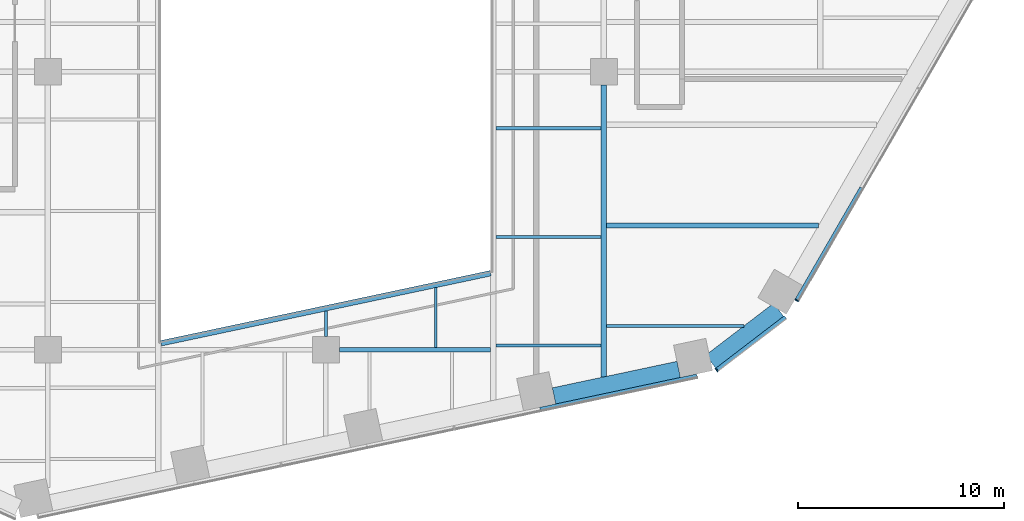
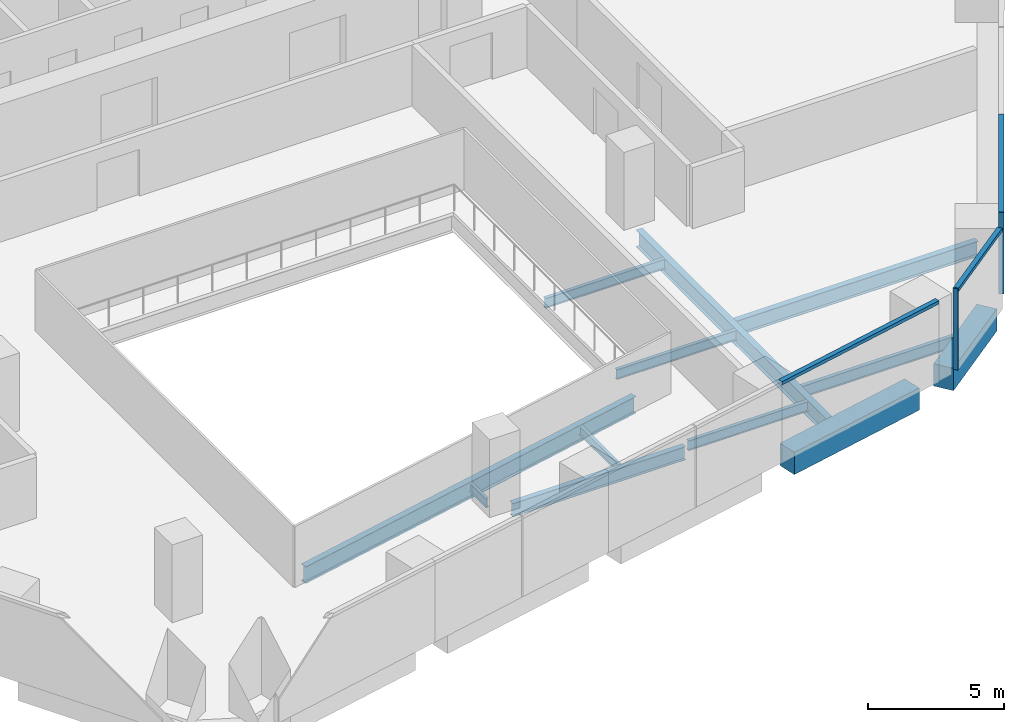
# One storey, part 5 of 19: 12 beams, 5 members, 3 elements without a shape of their own.
"""IFC4 building model written with IfcOpenShell, lengths in metres."""

import ifcopenshell
import ifcopenshell.guid

model = None  # the IFC model being written
_history = None  # IfcOwnerHistory: only IFC2X3 demands one
_inside = {}  # id of a spatial element -> (the spatial element, [elements in it])
_under = {}  # id of a project, library or spatial element -> (it, [spatial elements below it])
_declared = {}  # id of a project -> (the project, [libraries it declares])
_typed = {}  # id of a type object -> (the type object, [elements of that type])
_made_of = {}  # id of a material, layer set ... -> (it, [elements and type objects made of it])


def new_model(schema):
    """Start an empty IFC model of exactly this schema.

    Asked for "IFC4X3", IfcOpenShell would pick the latest addendum, in which some entities
    have other attributes; the version numbers below select the first issue.
    IFC2X3 requires an IfcOwnerHistory on every rooted entity: one is made here for all.
    """
    global model, _history
    if schema == "IFC4X3":
        model = ifcopenshell.file(schema_version=(4, 3, 0, 0))
    else:
        model = ifcopenshell.file(schema=schema)
    _inside.clear()
    _under.clear()
    _declared.clear()
    _typed.clear()
    _made_of.clear()
    _history = None
    if model.schema == "IFC2X3":
        org = make("IfcOrganization", Name="unknown")
        user = make(
            "IfcPersonAndOrganization",
            ThePerson=make("IfcPerson", FamilyName="unknown"),
            TheOrganization=org,
        )
        app = make(
            "IfcApplication",
            ApplicationDeveloper=org,
            Version="unknown",
            ApplicationFullName="unknown",
            ApplicationIdentifier="unknown",
        )
        _history = make(
            "IfcOwnerHistory",
            OwningUser=user,
            OwningApplication=app,
            ChangeAction="ADDED",
            CreationDate=0,
        )
    return model


def make(cls, **values):
    """One entity of the class cls with the attributes given. An attribute that is None is left unset."""
    return model.create_entity(
        cls, **{name: value for name, value in values.items() if value is not None}
    )


def rooted(cls, **values):
    """An entity with a GlobalId (a new one), such as an element, a storey or a relation."""
    return make(cls, GlobalId=ifcopenshell.guid.new(), OwnerHistory=_history, **values)


def si_unit(unit_type, name, prefix=None):
    """IfcSIUnit, for example si_unit("LENGTHUNIT", "METRE", prefix="MILLI")."""
    return make("IfcSIUnit", UnitType=unit_type, Prefix=prefix, Name=name)


def assignment(units):
    """IfcUnitAssignment: the units of a project."""
    return None if units is None else make("IfcUnitAssignment", Units=units)


def point(xyz):
    """IfcCartesianPoint."""
    return None if xyz is None else make("IfcCartesianPoint", Coordinates=xyz)


def direction(xyz):
    """IfcDirection."""
    return None if xyz is None else make("IfcDirection", DirectionRatios=xyz)


def frame(location, z_axis=None, x_axis=None):
    """IfcAxis2Placement3D, a coordinate frame: its origin and axes. An axis left out is left unset."""
    return make(
        "IfcAxis2Placement3D",
        Location=point(location),
        Axis=direction(z_axis),
        RefDirection=direction(x_axis),
    )


def frame_2d(location, x_axis=None):
    """IfcAxis2Placement2D, a coordinate frame in the plane: its origin and x axis."""
    return make(
        "IfcAxis2Placement2D", Location=point(location), RefDirection=direction(x_axis)
    )


def origin():
    """The frame at (0, 0, 0) with its axes left unset."""
    return frame((0.0, 0.0, 0.0))


def origin_2d():
    """The frame at (0, 0) in the plane with its x axis left unset."""
    return frame_2d((0.0, 0.0))


def place(relative_to, where):
    """IfcLocalPlacement: puts the frame where relative to a parent placement (None: the world)."""
    return make(
        "IfcLocalPlacement", PlacementRelTo=relative_to, RelativePlacement=where
    )


def context(
    kind, dimensions, precision=None, world=None, true_north=None, identifier=None
):
    """IfcGeometricRepresentationContext, for example the 3D "Model" context."""
    return make(
        "IfcGeometricRepresentationContext",
        ContextIdentifier=identifier,
        ContextType=kind,
        CoordinateSpaceDimension=dimensions,
        Precision=precision,
        WorldCoordinateSystem=world,
        TrueNorth=true_north,
    )


def subcontext(parent, identifier, kind, view, scale=None):
    """IfcGeometricRepresentationSubContext, for example "Body" below "Model"."""
    return make(
        "IfcGeometricRepresentationSubContext",
        ContextIdentifier=identifier,
        ContextType=kind,
        ParentContext=parent,
        TargetScale=scale,
        TargetView=view,
    )


def project(units=None, contexts=None):
    """IfcProject with its units and contexts."""
    return rooted(
        "IfcProject",
        Name="project",
        RepresentationContexts=contexts,
        UnitsInContext=assignment(units),
    )


def spatial(cls, under=None, at=None, **own):
    """A site, building, storey or space (cls), placed at a placement, below another one or the project."""
    s = rooted(cls, ObjectPlacement=at, **own)
    if under is not None:
        _under.setdefault(under.id(), (under, []))[1].append(s)
    return s


def profile(cls, at=None, kind="AREA", **sizes):
    """A parametric profile (cls). Its sizes go by their IFC names, for example OverallWidth=200.0."""
    return make(cls, ProfileType=kind, Position=at, **sizes)


def rectangle(**sizes):
    """IfcRectangleProfileDef."""
    return profile("IfcRectangleProfileDef", **sizes)


def i_section(**sizes):
    """IfcIShapeProfileDef."""
    return profile("IfcIShapeProfileDef", **sizes)


def extrude(swept, where, along, depth):
    """IfcExtrudedAreaSolid: the profile swept, set in the frame where, extruded along a direction by depth."""
    return make(
        "IfcExtrudedAreaSolid",
        SweptArea=swept,
        Position=where,
        ExtrudedDirection=direction(along),
        Depth=depth,
    )


def shape(context_of_items, identifier, shape_type, items):
    """IfcShapeRepresentation: the items that make up one representation, for example the "Body"."""
    return make(
        "IfcShapeRepresentation",
        ContextOfItems=context_of_items,
        RepresentationIdentifier=identifier,
        RepresentationType=shape_type,
        Items=items,
    )


def material(Name=None, Category=None):
    """IfcMaterial."""
    return make("IfcMaterial", Name=Name, Category=Category)


def layer(
    of_material, thickness, ventilated=None, Name=None, Category=None, Priority=None
):
    """IfcMaterialLayer: one layer of a wall or slab, of a material (None: an air gap)."""
    return make(
        "IfcMaterialLayer",
        Material=of_material,
        LayerThickness=thickness,
        IsVentilated=ventilated,
        Name=Name,
        Category=Category,
        Priority=Priority,
    )


def layer_set(layers, Name=None):
    """IfcMaterialLayerSet."""
    return make("IfcMaterialLayerSet", MaterialLayers=layers, LayerSetName=Name)


def material_profile(
    of_material, cross_section, Name=None, Category=None, Priority=None
):
    """IfcMaterialProfile: a cross section and its material."""
    return make(
        "IfcMaterialProfile",
        Name=Name,
        Material=of_material,
        Profile=cross_section,
        Priority=Priority,
        Category=Category,
    )


def profile_set(profiles, Name=None, composite=None):
    """IfcMaterialProfileSet."""
    return make(
        "IfcMaterialProfileSet",
        Name=Name,
        MaterialProfiles=profiles,
        CompositeProfile=composite,
    )


def made_of(thing, what):
    """Note that an element or type object is made of a material, layer set ...; save() writes the relation."""
    if what is not None:
        _made_of.setdefault(what.id(), (what, []))[1].append(thing)
    return thing


def type_object(cls, material=None, **own):
    """A type object (cls), such as IfcWallType, which elements share."""
    return made_of(rooted(cls, **own), material)


def element(
    cls,
    number,
    at=None,
    inside=None,
    cuts=None,
    type_object=None,
    material=None,
    context=None,
    identifier="Body",
    shape_type=None,
    held_by="IfcProductDefinitionShape",
    body=None,
    shapes=None,
    **own,
):
    """One element of the class cls, such as IfcWall. Its Tag is "e" and its number.

    at: its placement. inside: the storey or other place that contains it. cuts: it is an
    opening in that element (IfcRelVoidsElement). A single representation is given by context,
    identifier, shape_type and body (its items); several are given by shapes. held_by: the class
    of the entity that holds the representations. save() writes the other relations.
    """
    e = rooted(cls, Tag="e%d" % number, ObjectPlacement=at, **own)
    if body is not None:
        shapes = [shape(context, identifier, shape_type, body)]
    if shapes is not None:
        e.Representation = make(held_by, Representations=shapes)
    if inside is not None:
        _inside.setdefault(inside.id(), (inside, []))[1].append(e)
    if cuts is not None:
        rooted(
            "IfcRelVoidsElement", RelatingBuildingElement=cuts, RelatedOpeningElement=e
        )
    if type_object is not None:
        _typed.setdefault(type_object.id(), (type_object, []))[1].append(e)
    return made_of(e, material)


def aggregate(whole, parts):
    """IfcRelAggregates: a whole, such as a stair, and the parts it consists of."""
    return rooted("IfcRelAggregates", RelatingObject=whole, RelatedObjects=parts)


def save(model, path):
    """Write the relations noted so far, then the file.

    IfcRelAggregates (storeys below a building ...), IfcRelContainedInSpatialStructure (elements
    in a storey), IfcRelDefinesByType, IfcRelAssociatesMaterial and IfcRelDeclares: one each for
    every whole, place, type object, material and project.
    """
    for whole, parts in _under.values():
        aggregate(whole, parts)
    for where, things in _inside.values():
        rooted(
            "IfcRelContainedInSpatialStructure",
            RelatedElements=things,
            RelatingStructure=where,
        )
    for kind, things in _typed.values():
        rooted("IfcRelDefinesByType", RelatedObjects=things, RelatingType=kind)
    for what, things in _made_of.values():
        rooted("IfcRelAssociatesMaterial", RelatedObjects=things, RelatingMaterial=what)
    for by, libraries in _declared.values():
        rooted("IfcRelDeclares", RelatingContext=by, RelatedDefinitions=libraries)
    model.write(path)


model = new_model("IFC4")

# Units and contexts
model_context = context("Model", 3, precision=1e-05, world=origin(), true_north=direction((0.0, 1.0)))
body_context = subcontext(model_context, "Body", "Model", "MODEL_VIEW")
ifc_project = project(units=[si_unit("LENGTHUNIT", "METRE"), si_unit("AREAUNIT", "SQUARE_METRE"), si_unit("VOLUMEUNIT", "CUBIC_METRE"), si_unit("PLANEANGLEUNIT", "RADIAN"), si_unit("MASSUNIT", "GRAM", prefix="KILO")], contexts=[model_context])

# Site, building, storey
site_placement = place(None, origin())
site = spatial("IfcSite", under=ifc_project, at=site_placement, CompositionType="ELEMENT")
building_placement = place(site_placement, origin())
building = spatial("IfcBuilding", under=site, at=building_placement, Name="Isthmus Gate Tower", CompositionType="ELEMENT")
storey_placement = place(building_placement, frame((0.0, 0.0, 87.949951171875)))
storey = spatial("IfcBuildingStorey", under=building, at=storey_placement, Name="L20", CompositionType="ELEMENT", Elevation=87.949951171875)

# Curtain wall, member
ifc_material_1 = material(Name="Aluminium, pale champagne anodised", Category="aluminium")
ifc_layer = layer(ifc_material_1, 0.199951171875)
ifc_layer_set = layer_set([ifc_layer], Name="CW-1 UNITISED CURTAIN WALL 200 DEEP")
curtain_wall_type = type_object("IfcCurtainWallType", Name="CW-1 UNITISED CURTAIN WALL 200 DEEP", PredefinedType="NOTDEFINED", material=ifc_layer_set)
curtain_wall_1_placement = place(storey_placement, origin())
curtain_wall_1 = element("IfcCurtainWall", 1, at=curtain_wall_1_placement, inside=storey, type_object=curtain_wall_type, Name="CW-1 S-SE L20", PredefinedType="NOTDEFINED")
ifc_material_2 = material(Name="Aluminium, pale champagne anodised", Category="aluminium")
ifc_material_profile_1 = material_profile(ifc_material_2, rectangle(XDim=0.06005859375, YDim=0.199951171875, at=origin_2d()), Name="60x200")
ifc_profile_set_1 = profile_set([ifc_material_profile_1], Name="Aluminium, pale champagne anodised")
member_type_1 = type_object("IfcMemberType", Name="CW-1 MULLION 60 X 200", PredefinedType="MULLION", material=ifc_profile_set_1)
member_1_placement = place(storey_placement, frame((18.978759765625, -27.982421875, 0.0), z_axis=(0.0, 0.0, 1.0), x_axis=(0.794188594387, 0.607671355706, 0.0)))
member_1 = element("IfcMember", 2, at=member_1_placement, type_object=member_type_1, Name="CW-1 mullion", PredefinedType="MULLION", context=body_context, shape_type="SweptSolid", body=[
    extrude(rectangle(XDim=0.06005859375, YDim=0.199951171875, at=origin_2d()), origin(), (0.0, 0.0, 1.0), 3.650146484375),
])

curtain_wall_2_placement = place(storey_placement, origin())
curtain_wall_2 = element("IfcCurtainWall", 3, at=curtain_wall_2_placement, inside=storey, type_object=curtain_wall_type, Name="CW-1 SE L20", PredefinedType="NOTDEFINED")
member_2_placement = place(storey_placement, frame((22.863525390625, -24.599365234375, 0.0), z_axis=(0.0, 0.0, 1.0), x_axis=(0.5, 0.866025403784, 0.0)))
member_2 = element("IfcMember", 4, at=member_2_placement, type_object=member_type_1, Name="CW-1 mullion", PredefinedType="MULLION", context=body_context, shape_type="SweptSolid", body=[
    extrude(rectangle(XDim=0.06005859375, YDim=0.199951171875, at=origin_2d()), origin(), (0.0, 0.0, 1.0), 3.650146484375),
])

curtain_wall_3_placement = place(storey_placement, origin())
curtain_wall_3 = element("IfcCurtainWall", 5, at=curtain_wall_3_placement, inside=storey, type_object=curtain_wall_type, Name="CW-1 S L20", PredefinedType="NOTDEFINED")
ifc_material_3 = material(Name="Aluminium, pale champagne anodised", Category="aluminium")
ifc_material_profile_2 = material_profile(ifc_material_3, rectangle(XDim=0.199951171875, YDim=0.14990234375, at=origin_2d()), Name="200x150")
ifc_profile_set_2 = profile_set([ifc_material_profile_2], Name="Aluminium, pale champagne anodised")
member_type_2 = type_object("IfcMemberType", Name="CW-1 TRANSOM 200 X 150", PredefinedType="USERDEFINED", material=ifc_profile_set_2)
member_3_placement = place(storey_placement, frame((10.400146484375, -29.8916015625, 3.574951171875), z_axis=(0.978150565745, 0.207897741047, 0.0), x_axis=(-0.207897741047, 0.978150565745, 0.0)))
member_3 = element("IfcMember", 6, at=member_3_placement, type_object=member_type_2, Name="CW-1 transom", ObjectType="TRANSOM", PredefinedType="USERDEFINED", context=body_context, shape_type="SweptSolid", body=[
    extrude(rectangle(XDim=0.199951171875, YDim=0.14990234375, at=origin_2d()), origin(), (0.0, 0.0, 1.0), 7.789306640625),
])
aggregate(curtain_wall_3, [member_3])

# Member
member_4_placement = place(storey_placement, frame((19.002685546875, -27.96435546875, 3.574951171875), z_axis=(0.794175498212, 0.607688471209, 0.0), x_axis=(-0.607688471209, 0.794175498212, 0.0)))
member_4 = element("IfcMember", 7, at=member_4_placement, type_object=member_type_2, Name="CW-1 transom", ObjectType="TRANSOM", PredefinedType="USERDEFINED", context=body_context, shape_type="SweptSolid", body=[
    extrude(rectangle(XDim=0.199951171875, YDim=0.14990234375, at=origin_2d()), origin(), (0.0, 0.0, 1.0), 4.181396484375),
])

aggregate(curtain_wall_1, [member_1, member_4])

member_5_placement = place(storey_placement, frame((22.87841796875, -24.5732421875, 3.574951171875), z_axis=(0.50002426866, 0.866011391814, 0.0), x_axis=(-0.866011391814, 0.50002426866, 0.0)))
member_5 = element("IfcMember", 8, at=member_5_placement, type_object=member_type_2, Name="CW-1 transom", ObjectType="TRANSOM", PredefinedType="USERDEFINED", context=body_context, shape_type="SweptSolid", body=[
    extrude(rectangle(XDim=0.199951171875, YDim=0.14990234375, at=origin_2d()), origin(), (0.0, 0.0, 1.0), 6.278564453125),
])

aggregate(curtain_wall_2, [member_2, member_5])

# Beams
ifc_material_4 = material(Name="Concrete f'c 70 MPa", Category="concrete")
ifc_material_profile_3 = material_profile(ifc_material_4, rectangle(XDim=0.800048828125, YDim=1.0, at=origin_2d()), Name="RC 800X1000")
ifc_profile_set_3 = profile_set([ifc_material_profile_3], Name="Concrete f'c 70 MPa")
beam_type_1 = type_object("IfcBeamType", Name="RC SPANDREL 800 X 1000", PredefinedType="SPANDREL", material=ifc_profile_set_3)
beam_1_placement = place(storey_placement, frame((21.98681640625, -25.051513671875, -0.5), z_axis=(-0.794205941875, -0.607648682949, 0.0), x_axis=(0.607648682949, -0.794205941875, 0.0)))
element("IfcBeam", 9, at=beam_1_placement, inside=storey, type_object=beam_type_1, Name="str-spandrel-L20-09", PredefinedType="SPANDREL", context=body_context, shape_type="SweptSolid", body=[
    extrude(rectangle(XDim=0.800048828125, YDim=1.0, at=origin_2d()), origin(), (0.0, 0.0, 1.0), 4.15234375),
])
beam_2_placement = place(storey_placement, frame((17.1328125, -27.949462890625, -0.5), z_axis=(-0.978147421176, -0.207912535568, 0.0), x_axis=(0.207912535568, -0.978147421176, 0.0)))
element("IfcBeam", 10, at=beam_2_placement, inside=storey, type_object=beam_type_1, Name="str-spandrel-L20-10", PredefinedType="SPANDREL", context=body_context, shape_type="SweptSolid", body=[
    extrude(rectangle(XDim=0.800048828125, YDim=1.0, at=origin_2d()), origin(), (0.0, 0.0, 1.0), 6.189453125),
])
ifc_material_5 = material(Name="Structural steel ASTM A992 Gr 50", Category="steel")
ifc_material_profile_4 = material_profile(ifc_material_5, i_section(OverallWidth=0.1396484375, OverallDepth=0.4033203125, WebThickness=0.00634765625, FlangeThickness=0.010986328125, at=origin_2d()), Name="W16X31")
ifc_profile_set_4 = profile_set([ifc_material_profile_4], Name="Structural steel ASTM A992 Gr 50")
beam_type_2 = type_object("IfcBeamType", Name="STEEL FLOOR BEAM W16X31", PredefinedType="JOIST", material=ifc_profile_set_4)
beam_3_placement = place(storey_placement, frame((0.0, -26.35009765625, -0.3515625), z_axis=(0.0, 1.0, 0.0), x_axis=(-1.0, 0.0, 0.0)))
element("IfcBeam", 11, at=beam_3_placement, inside=storey, type_object=beam_type_2, Name="str-beam-L20-18-00", PredefinedType="JOIST", context=body_context, shape_type="SweptSolid", body=[
    extrude(i_section(OverallWidth=0.1396484375, OverallDepth=0.4033203125, WebThickness=0.00634765625, FlangeThickness=0.010986328125, at=origin_2d()), origin(), (0.0, 0.0, 1.0), 1.23388671875),
])
beam_4_placement = place(storey_placement, frame((5.333251953125, -26.8857421875, -0.3515625), z_axis=(0.0, 1.0, 0.0), x_axis=(-1.0, 0.0, 0.0)))
element("IfcBeam", 12, at=beam_4_placement, inside=storey, type_object=beam_type_2, Name="str-beam-L20-18-01", PredefinedType="JOIST", context=body_context, shape_type="SweptSolid", body=[
    extrude(i_section(OverallWidth=0.1396484375, OverallDepth=0.4033203125, WebThickness=0.00634765625, FlangeThickness=0.010986328125, at=origin_2d()), origin(), (0.0, 0.0, 1.0), 2.903076171875),
])
ifc_material_6 = material(Name="Structural steel ASTM A992 Gr 50", Category="steel")
ifc_material_profile_5 = material_profile(ifc_material_6, i_section(OverallWidth=0.15234375, OverallDepth=0.45068359375, WebThickness=0.0078125, FlangeThickness=0.010986328125, at=origin_2d()), Name="W18X35")
ifc_profile_set_5 = profile_set([ifc_material_profile_5], Name="Structural steel ASTM A992 Gr 50")
beam_type_3 = type_object("IfcBeamType", Name="STEEL FLOOR BEAM W18X35", PredefinedType="JOIST", material=ifc_profile_set_5)
for number, where, z_axis, x_axis, name in (
    (13, (8.263427734375, -26.788818359375, -0.375244140625), (1.0, 0.0, 0.0), (0.0, 1.0, 0.0), "str-beam-L20-23-00"),
    (14, (8.263427734375, -21.51513671875, -0.375244140625), (1.0, 0.0, 0.0), (0.0, 1.0, 0.0), "str-beam-L20-23-01"),
    (15, (8.263427734375, -16.241455078125, -0.375244140625), (1.0, 0.0, 0.0), (0.0, 1.0, 0.0), "str-beam-L20-23-02"),
):
    element("IfcBeam", number, at=place(storey_placement, frame(where, z_axis=z_axis, x_axis=x_axis)), inside=storey, type_object=beam_type_3, Name=name, PredefinedType="JOIST", context=body_context, shape_type="SweptSolid", body=[
        extrude(i_section(OverallWidth=0.15234375, OverallDepth=0.45068359375, WebThickness=0.0078125, FlangeThickness=0.010986328125, at=origin_2d()), origin(), (0.0, 0.0, 1.0), 5.103271484375),
    ])
ifc_material_7 = material(Name="Structural steel ASTM A992 Gr 50", Category="steel")
ifc_material_profile_6 = material_profile(ifc_material_7, i_section(OverallWidth=0.1650390625, OverallDepth=0.52392578125, WebThickness=0.009521484375, FlangeThickness=0.010986328125, at=origin_2d()), Name="W21X44")
ifc_profile_set_6 = profile_set([ifc_material_profile_6], Name="Structural steel ASTM A992 Gr 50")
beam_type_4 = type_object("IfcBeamType", Name="STEEL FLOOR BEAM W21X44", PredefinedType="JOIST", material=ifc_profile_set_6)
beam_5_placement = place(storey_placement, frame((13.63330078125, -25.842529296875, -0.411865234375), z_axis=(1.0, 0.0, 0.0), x_axis=(0.0, 1.0, 0.0)))
element("IfcBeam", 16, at=beam_5_placement, inside=storey, type_object=beam_type_4, Name="str-beam-L20-28-00", PredefinedType="JOIST", context=body_context, shape_type="SweptSolid", body=[
    extrude(i_section(OverallWidth=0.1650390625, OverallDepth=0.52392578125, WebThickness=0.009521484375, FlangeThickness=0.010986328125, at=origin_2d()), origin(), (0.0, 0.0, 1.0), 6.661376953125),
])
ifc_material_8 = material(Name="Structural steel ASTM A992 Gr 50", Category="steel")
ifc_material_profile_7 = material_profile(ifc_material_8, i_section(OverallWidth=0.25390625, OverallDepth=0.679443359375, WebThickness=0.010986328125, FlangeThickness=0.015869140625, at=origin_2d()), Name="W27X84")
ifc_profile_set_7 = profile_set([ifc_material_profile_7], Name="Structural steel ASTM A992 Gr 50")
beam_type_5 = type_object("IfcBeamType", Name="STEEL FLOOR BEAM W27X84", PredefinedType="JOIST", material=ifc_profile_set_7)
beam_6_placement = place(storey_placement, frame((13.63330078125, -20.958740234375, -0.48974609375), z_axis=(1.0, 0.0, 0.0), x_axis=(0.0, 1.0, 0.0)))
element("IfcBeam", 17, at=beam_6_placement, inside=storey, type_object=beam_type_5, Name="str-beam-L20-28-01", PredefinedType="JOIST", context=body_context, shape_type="SweptSolid", body=[
    extrude(i_section(OverallWidth=0.25390625, OverallDepth=0.679443359375, WebThickness=0.010986328125, FlangeThickness=0.015869140625, at=origin_2d()), origin(), (0.0, 0.0, 1.0), 10.292724609375),
])
ifc_material_9 = material(Name="Structural steel ASTM A992 Gr 50", Category="steel")
ifc_material_profile_8 = material_profile(ifc_material_9, i_section(OverallWidth=0.228515625, OverallDepth=0.603271484375, WebThickness=0.010986328125, FlangeThickness=0.014404296875, at=origin_2d()), Name="W24X68")
ifc_profile_set_8 = profile_set([ifc_material_profile_8], Name="Structural steel ASTM A992 Gr 50")
beam_type_6 = type_object("IfcBeamType", Name="STEEL GIRDER W24X68", PredefinedType="BEAM", material=ifc_profile_set_8)
beam_7_placement = place(storey_placement, frame((0.64990234375, -27.0, -0.45166015625), z_axis=(1.0, 0.0, 0.0), x_axis=(0.0, 1.0, 0.0)))
element("IfcBeam", 18, at=beam_7_placement, inside=storey, type_object=beam_type_6, Name="str-girder-L20-04", PredefinedType="BEAM", context=body_context, shape_type="SweptSolid", body=[
    extrude(i_section(OverallWidth=0.228515625, OverallDepth=0.603271484375, WebThickness=0.010986328125, FlangeThickness=0.014404296875, at=origin_2d()), origin(), (0.0, 0.0, 1.0), 7.35009765625),
])
ifc_material_10 = material(Name="Structural steel ASTM A992 Gr 50", Category="steel")
ifc_material_profile_9 = material_profile(ifc_material_10, i_section(OverallWidth=0.2666015625, OverallDepth=0.7587890625, WebThickness=0.014404296875, FlangeThickness=0.01904296875, at=origin_2d()), Name="W30X108")
ifc_profile_set_9 = profile_set([ifc_material_profile_9], Name="Structural steel ASTM A992 Gr 50")
beam_type_7 = type_object("IfcBeamType", Name="STEEL GIRDER W30X108", PredefinedType="BEAM", material=ifc_profile_set_9)
beam_8_placement = place(storey_placement, frame((13.5, -28.3125, -0.529296875), z_axis=(0.0, 1.0, 0.0), x_axis=(-1.0, 0.0, 0.0)))
element("IfcBeam", 19, at=beam_8_placement, inside=storey, type_object=beam_type_7, Name="str-girder-L20-32", PredefinedType="BEAM", context=body_context, shape_type="SweptSolid", body=[
    extrude(i_section(OverallWidth=0.2666015625, OverallDepth=0.7587890625, WebThickness=0.014404296875, FlangeThickness=0.01904296875, at=origin_2d()), origin(), (0.0, 0.0, 1.0), 14.16259765625),
])
ifc_material_11 = material(Name="Structural steel ASTM A992 Gr 50", Category="steel")
ifc_material_profile_10 = material_profile(ifc_material_11, i_section(OverallWidth=0.2666015625, OverallDepth=0.7587890625, WebThickness=0.014404296875, FlangeThickness=0.01904296875, at=origin_2d()), Name="W30X108")
ifc_profile_set_10 = profile_set([ifc_material_profile_10], Name="Structural steel ASTM A992 Gr 50")
beam_type_8 = type_object("IfcBeamType", Name="STEEL TRIMMER W30X108", PredefinedType="BEAM", material=ifc_profile_set_10)
beam_9_placement = place(storey_placement, frame((-8.0, -26.680419921875, -0.529296875), z_axis=(0.978147924985, 0.20791016533, 0.0), x_axis=(-0.20791016533, 0.978147924985, 0.0)))
element("IfcBeam", 20, at=beam_9_placement, inside=storey, type_object=beam_type_8, Name="str-trimmer-L20-03", PredefinedType="BEAM", context=body_context, shape_type="SweptSolid", body=[
    extrude(i_section(OverallWidth=0.2666015625, OverallDepth=0.7587890625, WebThickness=0.014404296875, FlangeThickness=0.01904296875, at=origin_2d()), origin(), (0.0, 0.0, 1.0), 16.357421875),
])

save(model, "model.ifc")
